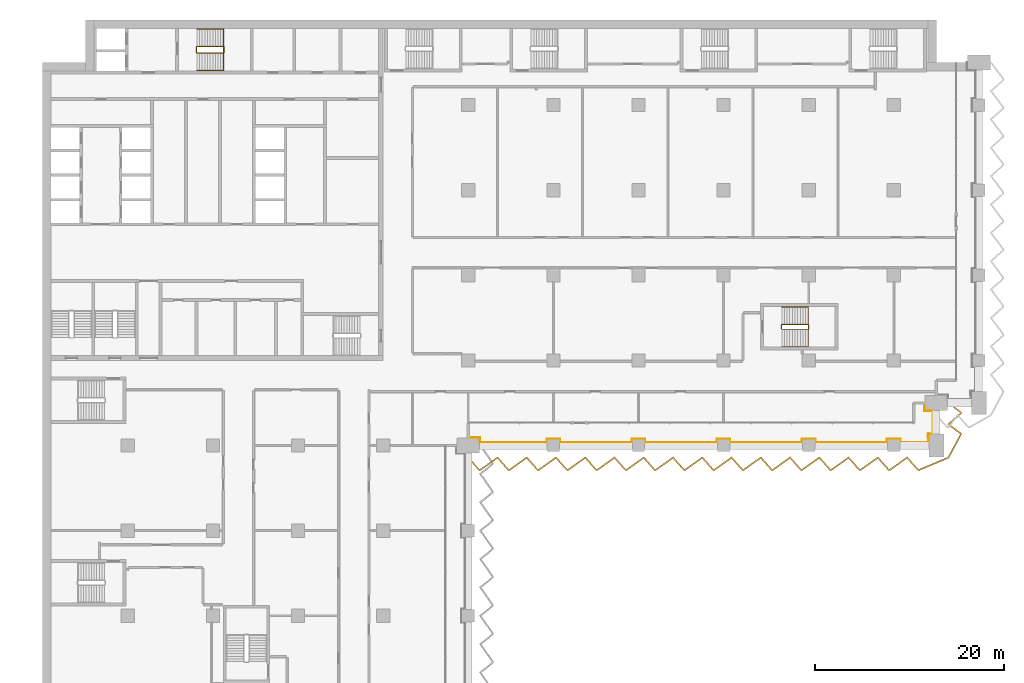
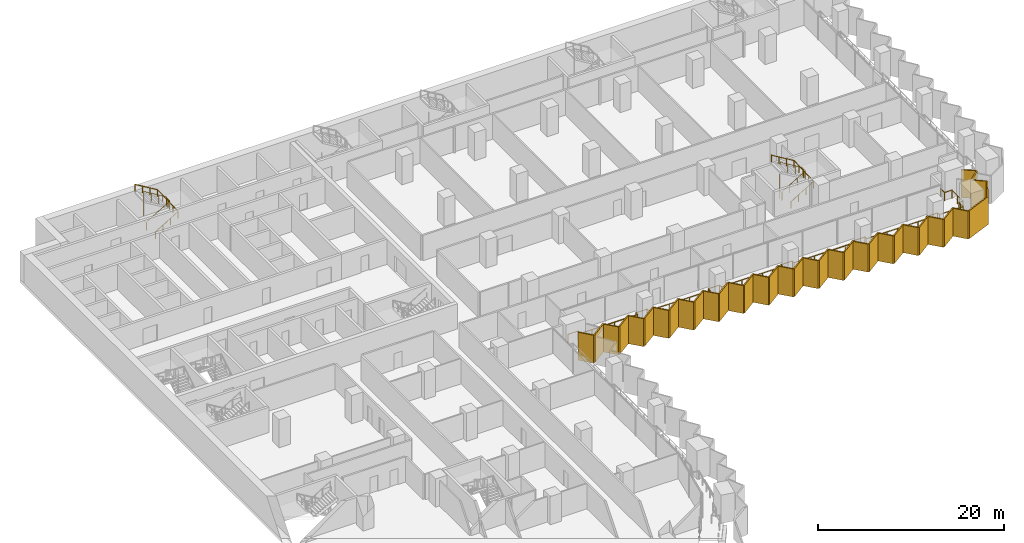
# One storey, part 27 of 29: 5 railings, 1 shading device.
"""IFC4 building model written with IfcOpenShell, lengths in metres."""

from ifc_helpers import new_model, si_unit, direction, frame, origin, origin_2d, place, context, subcontext, project, spatial, polyline, circle, outline, extrude, material, layer, layer_set, type_object, element, save


model = new_model("IFC4")

# Units and contexts
model_context = context("Model", 3, precision=1e-05, world=origin(), true_north=direction((0.0, 1.0)))
body_context = subcontext(model_context, "Body", "Model", "MODEL_VIEW")
ifc_project = project(units=[si_unit("LENGTHUNIT", "METRE"), si_unit("AREAUNIT", "SQUARE_METRE"), si_unit("VOLUMEUNIT", "CUBIC_METRE"), si_unit("PLANEANGLEUNIT", "RADIAN"), si_unit("MASSUNIT", "GRAM", prefix="KILO")], contexts=[model_context])

# Site, building, storey
site_placement = place(None, origin())
site = spatial("IfcSite", under=ifc_project, at=site_placement, CompositionType="ELEMENT")
building_placement = place(site_placement, origin())
building = spatial("IfcBuilding", under=site, at=building_placement, Name="Hunhe Ridgeline Campus", CompositionType="ELEMENT")
storey_placement = place(building_placement, frame((0.0, 0.0, 50.60009765625)))
storey = spatial("IfcBuildingStorey", under=building, at=storey_placement, Name="L11", CompositionType="ELEMENT", Elevation=50.60009765625)

# Railing
ifc_material_1 = material(Name="Steel Q355", Category="steel")
railing_type_1 = type_object("IfcRailingType", Name="Loggia guard 1100 Steel Q355", PredefinedType="GUARDRAIL", material=ifc_material_1)
railing_1_placement = place(storey_placement, frame((45.0, 54.8701171875, 0.0)))
element("IfcRailing", 1, at=railing_1_placement, inside=storey, type_object=railing_type_1, Name="Loggia guard 2", PredefinedType="GUARDRAIL", context=body_context, shape_type="SweptSolid", body=[
    extrude(circle(Radius=0.02392578125, at=origin_2d()), frame((0.0, 0.0, 1.076171875), z_axis=(1.0, 0.0, 0.0), x_axis=(0.0, 1.0, 0.0)), (0.0, 0.0, 1.0), 1.25),
    extrude(circle(Radius=0.02392578125, at=origin_2d()), frame((1.25, 0.0, 1.076171875), z_axis=(0.0, -1.0, 0.0), x_axis=(1.0, 0.0, 0.0)), (0.0, 0.0, 1.0), 0.52001953125),
    extrude(circle(Radius=0.02392578125, at=origin_2d()), frame((1.25, -0.52001953125, 1.076171875), z_axis=(1.0, 0.0, 0.0), x_axis=(0.0, 1.0, 0.0)), (0.0, 0.0, 1.0), 7.050048828125),
    extrude(circle(Radius=0.02392578125, at=origin_2d()), frame((8.300048828125, -0.52001953125, 1.076171875), z_axis=(0.0, 1.0, 0.0), x_axis=(-1.0, 0.0, 0.0)), (0.0, 0.0, 1.0), 0.369873046875),
    extrude(circle(Radius=0.02392578125, at=origin_2d()), frame((8.300048828125, -0.150146484375, 1.076171875), z_axis=(1.0, 0.0, 0.0), x_axis=(0.0, 1.0, 0.0)), (0.0, 0.0, 1.0), 1.39990234375),
    extrude(circle(Radius=0.02392578125, at=origin_2d()), frame((9.699951171875, -0.150146484375, 1.076171875), z_axis=(0.0, -1.0, 0.0), x_axis=(1.0, 0.0, 0.0)), (0.0, 0.0, 1.0), 0.369873046875),
    extrude(circle(Radius=0.02392578125, at=origin_2d()), frame((9.699951171875, -0.52001953125, 1.076171875), z_axis=(1.0, 0.0, 0.0), x_axis=(0.0, 1.0, 0.0)), (0.0, 0.0, 1.0), 7.60009765625),
    extrude(circle(Radius=0.02392578125, at=origin_2d()), frame((17.300048828125, -0.52001953125, 1.076171875), z_axis=(0.0, 1.0, 0.0), x_axis=(-1.0, 0.0, 0.0)), (0.0, 0.0, 1.0), 0.369873046875),
    extrude(circle(Radius=0.02392578125, at=origin_2d()), frame((17.300048828125, -0.150146484375, 1.076171875), z_axis=(1.0, 0.0, 0.0), x_axis=(0.0, 1.0, 0.0)), (0.0, 0.0, 1.0), 1.39990234375),
    extrude(circle(Radius=0.02392578125, at=origin_2d()), frame((18.699951171875, -0.150146484375, 1.076171875), z_axis=(0.0, -1.0, 0.0), x_axis=(1.0, 0.0, 0.0)), (0.0, 0.0, 1.0), 0.369873046875),
    extrude(circle(Radius=0.02392578125, at=origin_2d()), frame((18.699951171875, -0.52001953125, 1.076171875), z_axis=(1.0, 0.0, 0.0), x_axis=(0.0, 1.0, 0.0)), (0.0, 0.0, 1.0), 7.60009765625),
    extrude(circle(Radius=0.02392578125, at=origin_2d()), frame((26.300048828125, -0.52001953125, 1.076171875), z_axis=(0.0, 1.0, 0.0), x_axis=(-1.0, 0.0, 0.0)), (0.0, 0.0, 1.0), 0.369873046875),
    extrude(circle(Radius=0.02392578125, at=origin_2d()), frame((26.300048828125, -0.150146484375, 1.076171875), z_axis=(1.0, 0.0, 0.0), x_axis=(0.0, 1.0, 0.0)), (0.0, 0.0, 1.0), 1.39990234375),
    extrude(circle(Radius=0.02392578125, at=origin_2d()), frame((27.699951171875, -0.150146484375, 1.076171875), z_axis=(0.0, -1.0, 0.0), x_axis=(1.0, 0.0, 0.0)), (0.0, 0.0, 1.0), 0.369873046875),
    extrude(circle(Radius=0.02392578125, at=origin_2d()), frame((27.699951171875, -0.52001953125, 1.076171875), z_axis=(1.0, 0.0, 0.0), x_axis=(0.0, 1.0, 0.0)), (0.0, 0.0, 1.0), 7.60009765625),
    extrude(circle(Radius=0.02392578125, at=origin_2d()), frame((35.300048828125, -0.52001953125, 1.076171875), z_axis=(0.0, 1.0, 0.0), x_axis=(-1.0, 0.0, 0.0)), (0.0, 0.0, 1.0), 0.369873046875),
    extrude(circle(Radius=0.02392578125, at=origin_2d()), frame((35.300048828125, -0.150146484375, 1.076171875), z_axis=(1.0, 0.0, 0.0), x_axis=(0.0, 1.0, 0.0)), (0.0, 0.0, 1.0), 1.39990234375),
    extrude(circle(Radius=0.02392578125, at=origin_2d()), frame((36.699951171875, -0.150146484375, 1.076171875), z_axis=(0.0, -1.0, 0.0), x_axis=(1.0, 0.0, 0.0)), (0.0, 0.0, 1.0), 0.369873046875),
    extrude(circle(Radius=0.02392578125, at=origin_2d()), frame((36.699951171875, -0.52001953125, 1.076171875), z_axis=(1.0, 0.0, 0.0), x_axis=(0.0, 1.0, 0.0)), (0.0, 0.0, 1.0), 7.60009765625),
    extrude(circle(Radius=0.02392578125, at=origin_2d()), frame((44.300048828125, -0.52001953125, 1.076171875), z_axis=(0.0, 1.0, 0.0), x_axis=(-1.0, 0.0, 0.0)), (0.0, 0.0, 1.0), 0.369873046875),
    extrude(circle(Radius=0.02392578125, at=origin_2d()), frame((44.300048828125, -0.150146484375, 1.076171875), z_axis=(1.0, 0.0, 0.0), x_axis=(0.0, 1.0, 0.0)), (0.0, 0.0, 1.0), 1.39990234375),
    extrude(circle(Radius=0.02392578125, at=origin_2d()), frame((45.699951171875, -0.150146484375, 1.076171875), z_axis=(0.0, -1.0, 0.0), x_axis=(1.0, 0.0, 0.0)), (0.0, 0.0, 1.0), 0.369873046875),
    extrude(circle(Radius=0.02392578125, at=origin_2d()), frame((45.699951171875, -0.52001953125, 1.076171875), z_axis=(1.0, 0.0, 0.0), x_axis=(0.0, 1.0, 0.0)), (0.0, 0.0, 1.0), 2.949951171875),
    extrude(circle(Radius=0.02392578125, at=origin_2d()), frame((48.64990234375, -0.52001953125, 1.076171875), z_axis=(0.0, 1.0, 0.0), x_axis=(-1.0, 0.0, 0.0)), (0.0, 0.0, 1.0), 0.919921875),
    extrude(circle(Radius=0.02392578125, at=origin_2d()), frame((48.64990234375, 0.39990234375, 1.076171875), z_axis=(-0.049998438503, -0.998749295943, 0.0), x_axis=(0.998749295943, -0.049998438503, 0.0)), (0.0, 0.0, 1.0), 0.400390625),
    extrude(circle(Radius=0.02392578125, at=origin_2d()), frame((48.6298828125, 0.0, 1.076171875), z_axis=(0.0, 1.0, 0.0), x_axis=(-1.0, 0.0, 0.0)), (0.0, 0.0, 1.0), 0.3798828125),
    extrude(circle(Radius=0.02392578125, at=origin_2d()), frame((48.6298828125, 0.3798828125, 1.076171875), z_axis=(1.0, 0.0, 0.0), x_axis=(0.0, 1.0, 0.0)), (0.0, 0.0, 1.0), 0.52001953125),
    extrude(circle(Radius=0.02392578125, at=origin_2d()), frame((49.14990234375, 0.3798828125, 1.076171875), z_axis=(0.0, 1.0, 0.0), x_axis=(-1.0, 0.0, 0.0)), (0.0, 0.0, 1.0), 2.39990234375),
    extrude(circle(Radius=0.02392578125, at=origin_2d()), frame((49.14990234375, 2.77978515625, 1.076171875), z_axis=(-1.0, 0.0, 0.0), x_axis=(0.0, -1.0, 0.0)), (0.0, 0.0, 1.0), 0.919921875),
    extrude(circle(Radius=0.02392578125, at=origin_2d()), frame((48.22998046875, 2.77978515625, 1.076171875), z_axis=(0.0, 1.0, 0.0), x_axis=(-1.0, 0.0, 0.0)), (0.0, 0.0, 1.0), 0.85009765625),
    extrude(circle(Radius=0.02099609375, at=origin_2d()), origin(), (0.0, 0.0, 1.0), 1.052001953125),
    extrude(circle(Radius=0.02099609375, at=origin_2d()), frame((1.25, 0.0, 0.0)), (0.0, 0.0, 1.0), 1.052001953125),
    extrude(circle(Radius=0.02099609375, at=origin_2d()), frame((1.25, -0.52001953125, 0.0)), (0.0, 0.0, 1.0), 1.052001953125),
    extrude(circle(Radius=0.02099609375, at=origin_2d()), frame((2.659912109375, -0.52001953125, 0.0)), (0.0, 0.0, 1.0), 1.052001953125),
    extrude(circle(Radius=0.02099609375, at=origin_2d()), frame((4.070068359375, -0.52001953125, 0.0)), (0.0, 0.0, 1.0), 1.052001953125),
    extrude(circle(Radius=0.02099609375, at=origin_2d()), frame((5.47998046875, -0.52001953125, 0.0)), (0.0, 0.0, 1.0), 1.052001953125),
    extrude(circle(Radius=0.02099609375, at=origin_2d()), frame((6.89013671875, -0.52001953125, 0.0)), (0.0, 0.0, 1.0), 1.052001953125),
    extrude(circle(Radius=0.02099609375, at=origin_2d()), frame((8.300048828125, -0.52001953125, 0.0)), (0.0, 0.0, 1.0), 1.052001953125),
    extrude(circle(Radius=0.02099609375, at=origin_2d()), frame((8.300048828125, -0.150146484375, 0.0)), (0.0, 0.0, 1.0), 1.052001953125),
    extrude(circle(Radius=0.02099609375, at=origin_2d()), frame((9.699951171875, -0.150146484375, 0.0)), (0.0, 0.0, 1.0), 1.052001953125),
    extrude(circle(Radius=0.02099609375, at=origin_2d()), frame((9.699951171875, -0.52001953125, 0.0)), (0.0, 0.0, 1.0), 1.052001953125),
    extrude(circle(Radius=0.02099609375, at=origin_2d()), frame((10.966552734375, -0.52001953125, 0.0)), (0.0, 0.0, 1.0), 1.052001953125),
    extrude(circle(Radius=0.02099609375, at=origin_2d()), frame((12.2333984375, -0.52001953125, 0.0)), (0.0, 0.0, 1.0), 1.052001953125),
    extrude(circle(Radius=0.02099609375, at=origin_2d()), frame((13.5, -0.52001953125, 0.0)), (0.0, 0.0, 1.0), 1.052001953125),
    extrude(circle(Radius=0.02099609375, at=origin_2d()), frame((14.7666015625, -0.52001953125, 0.0)), (0.0, 0.0, 1.0), 1.052001953125),
    extrude(circle(Radius=0.02099609375, at=origin_2d()), frame((16.033447265625, -0.52001953125, 0.0)), (0.0, 0.0, 1.0), 1.052001953125),
    extrude(circle(Radius=0.02099609375, at=origin_2d()), frame((17.300048828125, -0.52001953125, 0.0)), (0.0, 0.0, 1.0), 1.052001953125),
    extrude(circle(Radius=0.02099609375, at=origin_2d()), frame((17.300048828125, -0.150146484375, 0.0)), (0.0, 0.0, 1.0), 1.052001953125),
    extrude(circle(Radius=0.02099609375, at=origin_2d()), frame((18.699951171875, -0.150146484375, 0.0)), (0.0, 0.0, 1.0), 1.052001953125),
    extrude(circle(Radius=0.02099609375, at=origin_2d()), frame((18.699951171875, -0.52001953125, 0.0)), (0.0, 0.0, 1.0), 1.052001953125),
    extrude(circle(Radius=0.02099609375, at=origin_2d()), frame((19.966552734375, -0.52001953125, 0.0)), (0.0, 0.0, 1.0), 1.052001953125),
    extrude(circle(Radius=0.02099609375, at=origin_2d()), frame((21.2333984375, -0.52001953125, 0.0)), (0.0, 0.0, 1.0), 1.052001953125),
    extrude(circle(Radius=0.02099609375, at=origin_2d()), frame((22.5, -0.52001953125, 0.0)), (0.0, 0.0, 1.0), 1.052001953125),
    extrude(circle(Radius=0.02099609375, at=origin_2d()), frame((23.7666015625, -0.52001953125, 0.0)), (0.0, 0.0, 1.0), 1.052001953125),
    extrude(circle(Radius=0.02099609375, at=origin_2d()), frame((25.033447265625, -0.52001953125, 0.0)), (0.0, 0.0, 1.0), 1.052001953125),
    extrude(circle(Radius=0.02099609375, at=origin_2d()), frame((26.300048828125, -0.52001953125, 0.0)), (0.0, 0.0, 1.0), 1.052001953125),
    extrude(circle(Radius=0.02099609375, at=origin_2d()), frame((26.300048828125, -0.150146484375, 0.0)), (0.0, 0.0, 1.0), 1.052001953125),
    extrude(circle(Radius=0.02099609375, at=origin_2d()), frame((27.699951171875, -0.150146484375, 0.0)), (0.0, 0.0, 1.0), 1.052001953125),
    extrude(circle(Radius=0.02099609375, at=origin_2d()), frame((27.699951171875, -0.52001953125, 0.0)), (0.0, 0.0, 1.0), 1.052001953125),
    extrude(circle(Radius=0.02099609375, at=origin_2d()), frame((28.966552734375, -0.52001953125, 0.0)), (0.0, 0.0, 1.0), 1.052001953125),
    extrude(circle(Radius=0.02099609375, at=origin_2d()), frame((30.2333984375, -0.52001953125, 0.0)), (0.0, 0.0, 1.0), 1.052001953125),
    extrude(circle(Radius=0.02099609375, at=origin_2d()), frame((31.5, -0.52001953125, 0.0)), (0.0, 0.0, 1.0), 1.052001953125),
    extrude(circle(Radius=0.02099609375, at=origin_2d()), frame((32.7666015625, -0.52001953125, 0.0)), (0.0, 0.0, 1.0), 1.052001953125),
    extrude(circle(Radius=0.02099609375, at=origin_2d()), frame((34.033447265625, -0.52001953125, 0.0)), (0.0, 0.0, 1.0), 1.052001953125),
    extrude(circle(Radius=0.02099609375, at=origin_2d()), frame((35.300048828125, -0.52001953125, 0.0)), (0.0, 0.0, 1.0), 1.052001953125),
    extrude(circle(Radius=0.02099609375, at=origin_2d()), frame((35.300048828125, -0.150146484375, 0.0)), (0.0, 0.0, 1.0), 1.052001953125),
    extrude(circle(Radius=0.02099609375, at=origin_2d()), frame((36.699951171875, -0.150146484375, 0.0)), (0.0, 0.0, 1.0), 1.052001953125),
    extrude(circle(Radius=0.02099609375, at=origin_2d()), frame((36.699951171875, -0.52001953125, 0.0)), (0.0, 0.0, 1.0), 1.052001953125),
    extrude(circle(Radius=0.02099609375, at=origin_2d()), frame((37.966552734375, -0.52001953125, 0.0)), (0.0, 0.0, 1.0), 1.052001953125),
    extrude(circle(Radius=0.02099609375, at=origin_2d()), frame((39.2333984375, -0.52001953125, 0.0)), (0.0, 0.0, 1.0), 1.052001953125),
    extrude(circle(Radius=0.02099609375, at=origin_2d()), frame((40.5, -0.52001953125, 0.0)), (0.0, 0.0, 1.0), 1.052001953125),
    extrude(circle(Radius=0.02099609375, at=origin_2d()), frame((41.7666015625, -0.52001953125, 0.0)), (0.0, 0.0, 1.0), 1.052001953125),
    extrude(circle(Radius=0.02099609375, at=origin_2d()), frame((43.033447265625, -0.52001953125, 0.0)), (0.0, 0.0, 1.0), 1.052001953125),
    extrude(circle(Radius=0.02099609375, at=origin_2d()), frame((44.300048828125, -0.52001953125, 0.0)), (0.0, 0.0, 1.0), 1.052001953125),
    extrude(circle(Radius=0.02099609375, at=origin_2d()), frame((44.300048828125, -0.150146484375, 0.0)), (0.0, 0.0, 1.0), 1.052001953125),
    extrude(circle(Radius=0.02099609375, at=origin_2d()), frame((45.699951171875, -0.150146484375, 0.0)), (0.0, 0.0, 1.0), 1.052001953125),
    extrude(circle(Radius=0.02099609375, at=origin_2d()), frame((45.699951171875, -0.52001953125, 0.0)), (0.0, 0.0, 1.0), 1.052001953125),
    extrude(circle(Radius=0.02099609375, at=origin_2d()), frame((47.1748046875, -0.52001953125, 0.0)), (0.0, 0.0, 1.0), 1.052001953125),
    extrude(circle(Radius=0.02099609375, at=origin_2d()), frame((48.64990234375, -0.52001953125, 0.0)), (0.0, 0.0, 1.0), 1.052001953125),
    extrude(circle(Radius=0.02099609375, at=origin_2d()), frame((48.64990234375, 0.39990234375, 0.0)), (0.0, 0.0, 1.0), 1.052001953125),
    extrude(circle(Radius=0.02099609375, at=origin_2d()), frame((48.6298828125, 0.0, 0.0)), (0.0, 0.0, 1.0), 1.052001953125),
    extrude(circle(Radius=0.02099609375, at=origin_2d()), frame((48.6298828125, 0.3798828125, 0.0)), (0.0, 0.0, 1.0), 1.052001953125),
    extrude(circle(Radius=0.02099609375, at=origin_2d()), frame((49.14990234375, 0.3798828125, 0.0)), (0.0, 0.0, 1.0), 1.052001953125),
    extrude(circle(Radius=0.02099609375, at=origin_2d()), frame((49.14990234375, 1.579833984375, 0.0)), (0.0, 0.0, 1.0), 1.052001953125),
    extrude(circle(Radius=0.02099609375, at=origin_2d()), frame((49.14990234375, 2.77978515625, 0.0)), (0.0, 0.0, 1.0), 1.052001953125),
    extrude(circle(Radius=0.02099609375, at=origin_2d()), frame((48.22998046875, 2.77978515625, 0.0)), (0.0, 0.0, 1.0), 1.052001953125),
    extrude(circle(Radius=0.02099609375, at=origin_2d()), frame((48.22998046875, 3.6298828125, 0.0)), (0.0, 0.0, 1.0), 1.052001953125),
])

# Shading device
ifc_material_2 = material(Name="Concrete C50", Category="concrete")
ifc_layer = layer(ifc_material_2, 0.14990234375)
ifc_layer_set = layer_set([ifc_layer], Name="Sawtooth concrete fin 150 Concrete C50")
shading_device_type = type_object("IfcShadingDeviceType", Name="Sawtooth concrete fin 150 Concrete C50", PredefinedType="USERDEFINED", material=ifc_layer_set)
shading_device_placement = place(storey_placement, frame((0.0, 0.0, -0.9501953125)))
element("IfcShadingDevice", 2, at=shading_device_placement, inside=storey, type_object=shading_device_type, Name="Concrete fin screen 2", ObjectType="FIN", PredefinedType="USERDEFINED", context=body_context, shape_type="SweptSolid", body=[
    extrude(outline(polyline([(45.05615234375, 52.774658203125), (44.94384765625, 52.67529296875), (46.11328125, 51.35009765625), (46.291015625, 51.35009765625), (48.082275390625, 52.624755859375), (49.20703125, 51.35009765625), (49.384765625, 51.35009765625), (51.176025390625, 52.624755859375), (52.30078125, 51.35009765625), (52.478515625, 51.35009765625), (54.269775390625, 52.624755859375), (55.39453125, 51.35009765625), (55.572265625, 51.35009765625), (57.363525390625, 52.624755859375), (58.48828125, 51.35009765625), (58.666015625, 51.35009765625), (60.457275390625, 52.624755859375), (61.58203125, 51.35009765625), (61.759765625, 51.35009765625), (63.551025390625, 52.624755859375), (64.67578125, 51.35009765625), (64.853515625, 51.35009765625), (66.644775390625, 52.624755859375), (67.76953125, 51.35009765625), (67.947265625, 51.35009765625), (69.738525390625, 52.624755859375), (70.86328125, 51.35009765625), (71.041015625, 51.35009765625), (72.832275390625, 52.624755859375), (73.95703125, 51.35009765625), (74.134765625, 51.35009765625), (75.926025390625, 52.624755859375), (77.05078125, 51.35009765625), (77.228515625, 51.35009765625), (79.019775390625, 52.624755859375), (80.14453125, 51.35009765625), (80.322265625, 51.35009765625), (82.113525390625, 52.624755859375), (83.23828125, 51.35009765625), (83.416015625, 51.35009765625), (85.207275390625, 52.624755859375), (86.33203125, 51.35009765625), (86.509765625, 51.35009765625), (88.301025390625, 52.624755859375), (89.42578125, 51.35009765625), (89.603515625, 51.35009765625), (91.394775390625, 52.624755859375), (92.51953125, 51.35009765625), (92.6884765625, 51.35009765625), (95.82861328125, 52.666015625), (97.14990234375, 55.128173828125), (97.14990234375, 55.304443359375), (95.8935546875, 56.25439453125), (97.14990234375, 57.36328125), (97.14990234375, 57.554443359375), (95.8203125, 58.559814453125), (95.729736328125, 58.440185546875), (97.0, 57.479736328125), (97.0, 57.430908203125), (95.656494140625, 56.24560546875), (97.0, 55.229736328125), (97.0, 55.166015625), (95.721435546875, 52.783935546875), (92.658203125, 51.5), (92.587158203125, 51.5), (91.417724609375, 52.8251953125), (89.5556640625, 51.5), (89.493408203125, 51.5), (88.323974609375, 52.8251953125), (86.4619140625, 51.5), (86.399658203125, 51.5), (85.230224609375, 52.8251953125), (83.3681640625, 51.5), (83.305908203125, 51.5), (82.136474609375, 52.8251953125), (80.2744140625, 51.5), (80.212158203125, 51.5), (79.042724609375, 52.8251953125), (77.1806640625, 51.5), (77.118408203125, 51.5), (75.948974609375, 52.8251953125), (74.0869140625, 51.5), (74.024658203125, 51.5), (72.855224609375, 52.8251953125), (70.9931640625, 51.5), (70.930908203125, 51.5), (69.761474609375, 52.8251953125), (67.8994140625, 51.5), (67.837158203125, 51.5), (66.667724609375, 52.8251953125), (64.8056640625, 51.5), (64.743408203125, 51.5), (63.573974609375, 52.8251953125), (61.7119140625, 51.5), (61.649658203125, 51.5), (60.480224609375, 52.8251953125), (58.6181640625, 51.5), (58.555908203125, 51.5), (57.386474609375, 52.8251953125), (55.5244140625, 51.5), (55.462158203125, 51.5), (54.292724609375, 52.8251953125), (52.4306640625, 51.5), (52.368408203125, 51.5), (51.198974609375, 52.8251953125), (49.3369140625, 51.5), (49.274658203125, 51.5), (48.105224609375, 52.8251953125), (46.2431640625, 51.5), (46.180908203125, 51.5), (45.05615234375, 52.774658203125)])), origin(), (0.0, 0.0, 1.0), 3.650146484375),
])

# Railings
ifc_material_3 = material(Name="Stainless steel balustrade", Category="steel")
railing_type_2 = type_object("IfcRailingType", Name="Stair guard 1100 stainless", PredefinedType="GUARDRAIL", material=ifc_material_3)
railing_2_placement = place(storey_placement, frame((16.300048828125, 95.5, 0.16796875)))
element("IfcRailing", 3, at=railing_2_placement, inside=storey, type_object=railing_type_2, Name="L11 stair S1 guard", PredefinedType="GUARDRAIL", context=body_context, shape_type="SweptSolid", body=[
    extrude(circle(Radius=0.02392578125, at=origin_2d()), frame((0.0, 0.0, 1.076171875), z_axis=(0.857242210791, 0.0, 0.514913383045), x_axis=(0.0, 1.0, 0.0)), (0.0, 0.0, 1.0), 3.266357421875),
    extrude(circle(Radius=0.02392578125, at=origin_2d()), frame((2.800048828125, 0.0, 2.7578125), z_axis=(0.705375805398, 0.708833529934, 0.0), x_axis=(-0.708833529934, 0.705375805398, 0.0)), (0.0, 0.0, 1.0), 0.070556640625),
    extrude(circle(Radius=0.02392578125, at=origin_2d()), frame((2.849853515625, 0.050048828125, 2.7578125), z_axis=(0.0, 1.0, 0.0), x_axis=(-1.0, 0.0, 0.0)), (0.0, 0.0, 1.0), 0.599853515625),
    extrude(circle(Radius=0.02392578125, at=origin_2d()), frame((2.849853515625, 0.64990234375, 2.7578125), z_axis=(-0.273006030465, 0.27434429532, 0.922064485248), x_axis=(-0.708833529934, -0.705375805398, 0.0)), (0.0, 0.0, 1.0), 0.182373046875),
    extrude(circle(Radius=0.02392578125, at=origin_2d()), frame((2.800048828125, 0.699951171875, 2.92626953125), z_axis=(-0.857242210791, 0.0, 0.514913383045), x_axis=(0.0, -1.0, 0.0)), (0.0, 0.0, 1.0), 3.266357421875),
    extrude(circle(Radius=0.02392578125, at=origin_2d()), frame((0.0, 0.699951171875, 4.60791015625), z_axis=(-0.013524414389, -0.013524414389, -0.999817073484), x_axis=(0.707106781187, -0.707106781187, 0.0)), (0.0, 0.0, 1.0), 3.70068359375),
    extrude(circle(Radius=0.02392578125, at=origin_2d()), frame((-0.050048828125, 0.64990234375, 0.908203125), z_axis=(0.0, -1.0, 0.0), x_axis=(1.0, 0.0, 0.0)), (0.0, 0.0, 1.0), 0.599853515625),
    extrude(circle(Radius=0.02099609375, at=origin_2d()), origin(), (0.0, 0.0, 1.0), 1.052001953125),
    extrude(circle(Radius=0.02099609375, at=origin_2d()), frame((0.933349609375, 0.0, 0.560546875)), (0.0, 0.0, 1.0), 1.052001953125),
    extrude(circle(Radius=0.02099609375, at=origin_2d()), frame((1.86669921875, 0.0, 1.121337890625)), (0.0, 0.0, 1.0), 1.052001953125),
    extrude(circle(Radius=0.02099609375, at=origin_2d()), frame((2.800048828125, 0.0, 1.681884765625)), (0.0, 0.0, 1.0), 1.052001953125),
    extrude(circle(Radius=0.02099609375, at=origin_2d()), frame((2.849853515625, 0.050048828125, 1.681884765625)), (0.0, 0.0, 1.0), 1.052001953125),
    extrude(circle(Radius=0.02099609375, at=origin_2d()), frame((2.849853515625, 0.64990234375, 1.681884765625)), (0.0, 0.0, 1.0), 1.052001953125),
    extrude(circle(Radius=0.02099609375, at=origin_2d()), frame((2.800048828125, 0.699951171875, 1.85009765625)), (0.0, 0.0, 1.0), 1.052001953125),
    extrude(circle(Radius=0.02099609375, at=origin_2d()), frame((1.86669921875, 0.699951171875, 2.41064453125)), (0.0, 0.0, 1.0), 1.052001953125),
    extrude(circle(Radius=0.02099609375, at=origin_2d()), frame((0.933349609375, 0.699951171875, 2.971435546875)), (0.0, 0.0, 1.0), 1.052001953125),
    extrude(circle(Radius=0.02099609375, at=origin_2d()), frame((0.0, 0.699951171875, 3.531982421875)), (0.0, 0.0, 1.0), 1.052001953125),
    extrude(circle(Radius=0.02099609375, at=origin_2d()), frame((-0.012451171875, 0.6875, 2.60693359375)), (0.0, 0.0, 1.0), 1.052001953125),
    extrude(circle(Radius=0.02099609375, at=origin_2d()), frame((-0.02490234375, 0.6748046875, 1.68212890625)), (0.0, 0.0, 1.0), 1.052001953125),
    extrude(circle(Radius=0.02099609375, at=origin_2d()), frame((-0.03759765625, 0.662353515625, 0.757080078125)), (0.0, 0.0, 1.0), 1.052001953125),
    extrude(circle(Radius=0.02099609375, at=origin_2d()), frame((-0.050048828125, 0.64990234375, -0.16796875)), (0.0, 0.0, 1.0), 1.052001953125),
    extrude(circle(Radius=0.02099609375, at=origin_2d()), frame((-0.050048828125, 0.050048828125, -0.16796875)), (0.0, 0.0, 1.0), 1.052001953125),
])
railing_3_placement = place(storey_placement, frame((78.14990234375, 66.300048828125, 0.16796875)))
element("IfcRailing", 4, at=railing_3_placement, inside=storey, type_object=railing_type_2, Name="L11 stair E5 guard", PredefinedType="GUARDRAIL", context=body_context, shape_type="SweptSolid", body=[
    extrude(circle(Radius=0.02392578125, at=origin_2d()), frame((0.0, 0.0, 1.076171875), z_axis=(0.857242210791, 0.0, 0.514913383045), x_axis=(0.0, 1.0, 0.0)), (0.0, 0.0, 1.0), 3.266357421875),
    extrude(circle(Radius=0.02392578125, at=origin_2d()), frame((2.800048828125, 0.0, 2.7578125), z_axis=(0.707106781187, 0.707106781187, 0.0), x_axis=(-0.707106781187, 0.707106781187, 0.0)), (0.0, 0.0, 1.0), 0.07080078125),
    extrude(circle(Radius=0.02392578125, at=origin_2d()), frame((2.85009765625, 0.050048828125, 2.7578125), z_axis=(0.0, 1.0, 0.0), x_axis=(-1.0, 0.0, 0.0)), (0.0, 0.0, 1.0), 0.39990234375),
    extrude(circle(Radius=0.02392578125, at=origin_2d()), frame((2.85009765625, 0.449951171875, 2.7578125), z_axis=(-0.274243871929, 0.274243871929, 0.92172696468), x_axis=(-0.707106781187, -0.707106781187, 0.0)), (0.0, 0.0, 1.0), 0.1826171875),
    extrude(circle(Radius=0.02392578125, at=origin_2d()), frame((2.800048828125, 0.5, 2.92626953125), z_axis=(-0.857242210791, 0.0, 0.514913383045), x_axis=(0.0, -1.0, 0.0)), (0.0, 0.0, 1.0), 3.266357421875),
    extrude(circle(Radius=0.02392578125, at=origin_2d()), frame((0.0, 0.5, 4.60791015625), z_axis=(-0.013458453615, -0.013524426427, -0.999817963389), x_axis=(0.708833529934, -0.705375805398, 0.0)), (0.0, 0.0, 1.0), 3.70068359375),
    extrude(circle(Radius=0.02392578125, at=origin_2d()), frame((-0.0498046875, 0.449951171875, 0.908203125), z_axis=(0.0, -1.0, 0.0), x_axis=(1.0, 0.0, 0.0)), (0.0, 0.0, 1.0), 0.39990234375),
    extrude(circle(Radius=0.02099609375, at=origin_2d()), origin(), (0.0, 0.0, 1.0), 1.052001953125),
    extrude(circle(Radius=0.02099609375, at=origin_2d()), frame((0.933349609375, 0.0, 0.560546875)), (0.0, 0.0, 1.0), 1.052001953125),
    extrude(circle(Radius=0.02099609375, at=origin_2d()), frame((1.86669921875, 0.0, 1.121337890625)), (0.0, 0.0, 1.0), 1.052001953125),
    extrude(circle(Radius=0.02099609375, at=origin_2d()), frame((2.800048828125, 0.0, 1.681884765625)), (0.0, 0.0, 1.0), 1.052001953125),
    extrude(circle(Radius=0.02099609375, at=origin_2d()), frame((2.85009765625, 0.050048828125, 1.681884765625)), (0.0, 0.0, 1.0), 1.052001953125),
    extrude(circle(Radius=0.02099609375, at=origin_2d()), frame((2.85009765625, 0.449951171875, 1.681884765625)), (0.0, 0.0, 1.0), 1.052001953125),
    extrude(circle(Radius=0.02099609375, at=origin_2d()), frame((2.800048828125, 0.5, 1.85009765625)), (0.0, 0.0, 1.0), 1.052001953125),
    extrude(circle(Radius=0.02099609375, at=origin_2d()), frame((1.86669921875, 0.5, 2.41064453125)), (0.0, 0.0, 1.0), 1.052001953125),
    extrude(circle(Radius=0.02099609375, at=origin_2d()), frame((0.933349609375, 0.5, 2.971435546875)), (0.0, 0.0, 1.0), 1.052001953125),
    extrude(circle(Radius=0.02099609375, at=origin_2d()), frame((0.0, 0.5, 3.531982421875)), (0.0, 0.0, 1.0), 1.052001953125),
    extrude(circle(Radius=0.02099609375, at=origin_2d()), frame((-0.012451171875, 0.487548828125, 2.60693359375)), (0.0, 0.0, 1.0), 1.052001953125),
    extrude(circle(Radius=0.02099609375, at=origin_2d()), frame((-0.02490234375, 0.47509765625, 1.68212890625)), (0.0, 0.0, 1.0), 1.052001953125),
    extrude(circle(Radius=0.02099609375, at=origin_2d()), frame((-0.037353515625, 0.46240234375, 0.757080078125)), (0.0, 0.0, 1.0), 1.052001953125),
    extrude(circle(Radius=0.02099609375, at=origin_2d()), frame((-0.0498046875, 0.449951171875, -0.16796875)), (0.0, 0.0, 1.0), 1.052001953125),
    extrude(circle(Radius=0.02099609375, at=origin_2d()), frame((-0.0498046875, 0.050048828125, -0.16796875)), (0.0, 0.0, 1.0), 1.052001953125),
])
ifc_material_4 = material(Name="Stainless steel handrail", Category="steel")
railing_type_3 = type_object("IfcRailingType", Name="Stair handrail 900 stainless", PredefinedType="HANDRAIL", material=ifc_material_4)
railing_4_placement = place(storey_placement, frame((16.300048828125, 93.64990234375, 0.16796875)))
element("IfcRailing", 5, at=railing_4_placement, inside=storey, type_object=railing_type_3, Name="L11 stair S1 handrail", PredefinedType="HANDRAIL", context=body_context, shape_type="SweptSolid", body=[
    extrude(circle(Radius=0.02392578125, at=origin_2d()), frame((0.0, 0.0, 0.8759765625), z_axis=(0.857242210791, 0.0, 0.514913383045), x_axis=(0.0, 1.0, 0.0)), (0.0, 0.0, 1.0), 3.266357421875),
    extrude(circle(Radius=0.02392578125, at=origin_2d()), frame((2.800048828125, 0.0, 2.5576171875), z_axis=(0.0, 0.999270074432, 0.038201025428), x_axis=(-1.0, 0.0, 0.0)), (0.0, 0.0, 1.0), 4.4033203125),
    extrude(circle(Radius=0.02392578125, at=origin_2d()), frame((2.800048828125, 4.400146484375, 2.72607421875), z_axis=(-0.857242210791, 0.0, 0.514913383045), x_axis=(0.0, -1.0, 0.0)), (0.0, 0.0, 1.0), 3.266357421875),
    extrude(circle(Radius=0.02099609375, at=origin_2d()), origin(), (0.0, 0.0, 1.0), 0.851806640625),
    extrude(circle(Radius=0.02099609375, at=origin_2d()), frame((0.933349609375, 0.0, 0.560546875)), (0.0, 0.0, 1.0), 0.851806640625),
    extrude(circle(Radius=0.02099609375, at=origin_2d()), frame((1.86669921875, 0.0, 1.121337890625)), (0.0, 0.0, 1.0), 0.851806640625),
    extrude(circle(Radius=0.02099609375, at=origin_2d()), frame((2.800048828125, 0.0, 1.681884765625)), (0.0, 0.0, 1.0), 0.851806640625),
    extrude(circle(Radius=0.02099609375, at=origin_2d()), frame((2.800048828125, 1.10009765625, 1.723876953125)), (0.0, 0.0, 1.0), 0.851806640625),
    extrude(circle(Radius=0.02099609375, at=origin_2d()), frame((2.800048828125, 2.2001953125, 1.76611328125)), (0.0, 0.0, 1.0), 0.851806640625),
    extrude(circle(Radius=0.02099609375, at=origin_2d()), frame((2.800048828125, 3.300048828125, 1.80810546875)), (0.0, 0.0, 1.0), 0.851806640625),
    extrude(circle(Radius=0.02099609375, at=origin_2d()), frame((2.800048828125, 4.400146484375, 1.85009765625)), (0.0, 0.0, 1.0), 0.851806640625),
    extrude(circle(Radius=0.02099609375, at=origin_2d()), frame((1.86669921875, 4.400146484375, 2.41064453125)), (0.0, 0.0, 1.0), 0.851806640625),
    extrude(circle(Radius=0.02099609375, at=origin_2d()), frame((0.933349609375, 4.400146484375, 2.971435546875)), (0.0, 0.0, 1.0), 0.851806640625),
    extrude(circle(Radius=0.02099609375, at=origin_2d()), frame((0.0, 4.400146484375, 3.531982421875)), (0.0, 0.0, 1.0), 0.851806640625),
])
railing_5_placement = place(storey_placement, frame((78.14990234375, 64.449951171875, 0.16796875)))
element("IfcRailing", 6, at=railing_5_placement, inside=storey, type_object=railing_type_3, Name="L11 stair E5 handrail", PredefinedType="HANDRAIL", context=body_context, shape_type="SweptSolid", body=[
    extrude(circle(Radius=0.02392578125, at=origin_2d()), frame((0.0, 0.0, 0.8759765625), z_axis=(0.857242210791, 0.0, 0.514913383045), x_axis=(0.0, 1.0, 0.0)), (0.0, 0.0, 1.0), 3.266357421875),
    extrude(circle(Radius=0.02392578125, at=origin_2d()), frame((2.800048828125, 0.0, 2.5576171875), z_axis=(0.0, 0.999198916169, 0.040019069537), x_axis=(-1.0, 0.0, 0.0)), (0.0, 0.0, 1.0), 4.203369140625),
    extrude(circle(Radius=0.02392578125, at=origin_2d()), frame((2.800048828125, 4.199951171875, 2.72607421875), z_axis=(-0.857242210791, 0.0, 0.514913383045), x_axis=(0.0, -1.0, 0.0)), (0.0, 0.0, 1.0), 3.266357421875),
    extrude(circle(Radius=0.02099609375, at=origin_2d()), origin(), (0.0, 0.0, 1.0), 0.851806640625),
    extrude(circle(Radius=0.02099609375, at=origin_2d()), frame((0.933349609375, 0.0, 0.560546875)), (0.0, 0.0, 1.0), 0.851806640625),
    extrude(circle(Radius=0.02099609375, at=origin_2d()), frame((1.86669921875, 0.0, 1.121337890625)), (0.0, 0.0, 1.0), 0.851806640625),
    extrude(circle(Radius=0.02099609375, at=origin_2d()), frame((2.800048828125, 0.0, 1.681884765625)), (0.0, 0.0, 1.0), 0.851806640625),
    extrude(circle(Radius=0.02099609375, at=origin_2d()), frame((2.800048828125, 1.050048828125, 1.723876953125)), (0.0, 0.0, 1.0), 0.851806640625),
    extrude(circle(Radius=0.02099609375, at=origin_2d()), frame((2.800048828125, 2.10009765625, 1.76611328125)), (0.0, 0.0, 1.0), 0.851806640625),
    extrude(circle(Radius=0.02099609375, at=origin_2d()), frame((2.800048828125, 3.14990234375, 1.80810546875)), (0.0, 0.0, 1.0), 0.851806640625),
    extrude(circle(Radius=0.02099609375, at=origin_2d()), frame((2.800048828125, 4.199951171875, 1.85009765625)), (0.0, 0.0, 1.0), 0.851806640625),
    extrude(circle(Radius=0.02099609375, at=origin_2d()), frame((1.86669921875, 4.199951171875, 2.41064453125)), (0.0, 0.0, 1.0), 0.851806640625),
    extrude(circle(Radius=0.02099609375, at=origin_2d()), frame((0.933349609375, 4.199951171875, 2.971435546875)), (0.0, 0.0, 1.0), 0.851806640625),
    extrude(circle(Radius=0.02099609375, at=origin_2d()), frame((0.0, 4.199951171875, 3.531982421875)), (0.0, 0.0, 1.0), 0.851806640625),
])

save(model, "model.ifc")
